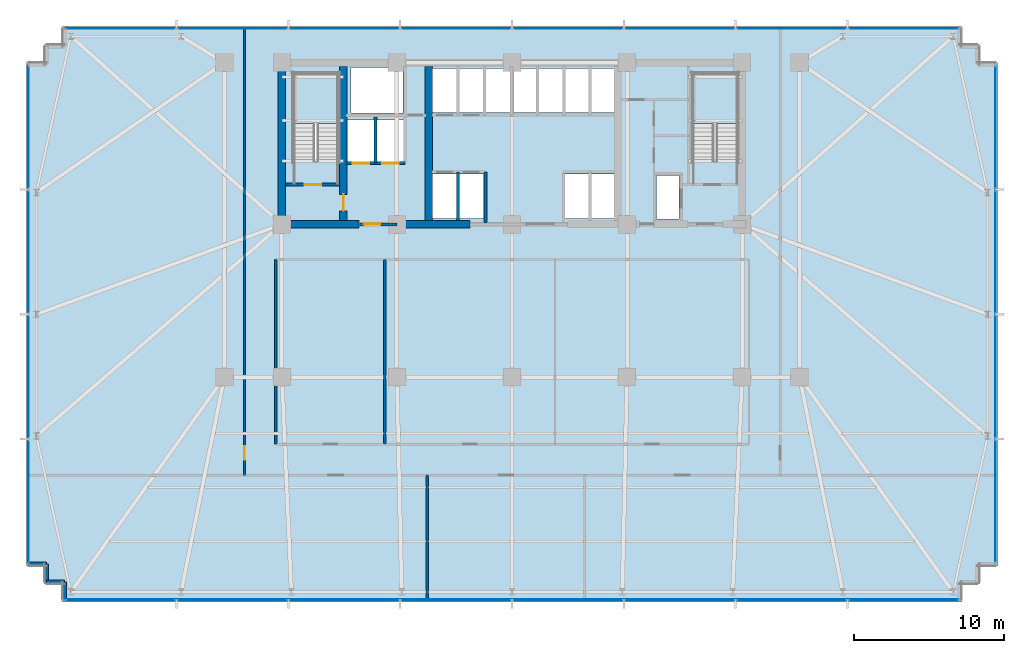
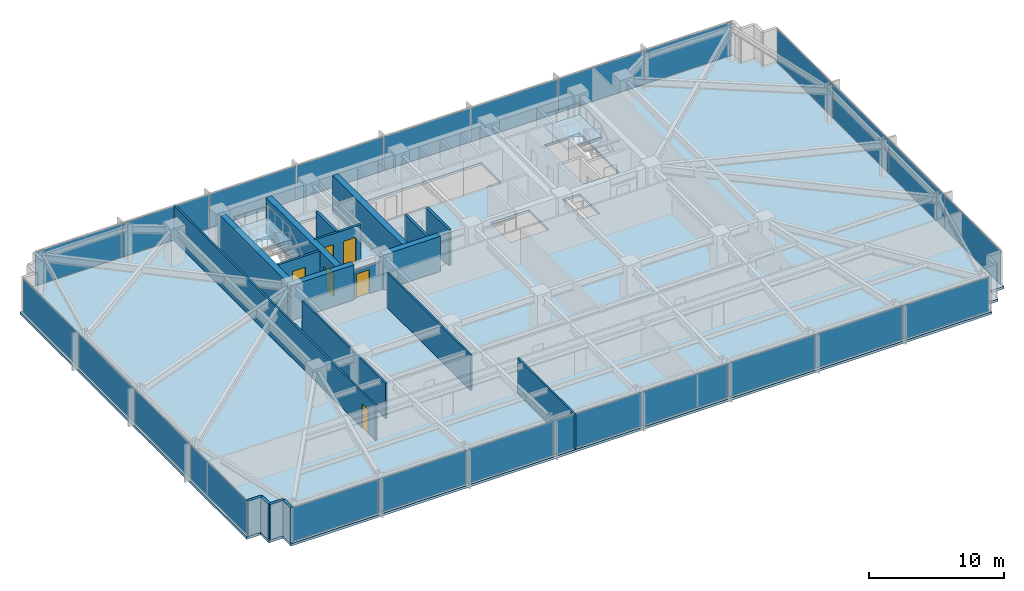
# One storey, part 24 of 32: 24 plates, 19 walls, 6 doors, 3 slabs, 6 openings, 6 elements without a shape of their own.
"""IFC4 building model written with IfcOpenShell, lengths in metres."""

from ifc_helpers import new_model, si_unit, direction, frame, frame_2d, origin, origin_2d, place, context, subcontext, project, spatial, polyline, rectangle, outline, extrude, material, layer, layer_set, type_object, element, fill, aggregate, save


model = new_model("IFC4")

# Units and contexts
model_context = context("Model", 3, precision=1e-05, world=origin(), true_north=direction((0.0, 1.0)))
body_context = subcontext(model_context, "Body", "Model", "MODEL_VIEW")
ifc_project = project(units=[si_unit("LENGTHUNIT", "METRE"), si_unit("AREAUNIT", "SQUARE_METRE"), si_unit("VOLUMEUNIT", "CUBIC_METRE"), si_unit("PLANEANGLEUNIT", "RADIAN"), si_unit("MASSUNIT", "GRAM", prefix="KILO")], contexts=[model_context])

# Site, building, storey
site_placement = place(None, origin())
site = spatial("IfcSite", under=ifc_project, at=site_placement, CompositionType="ELEMENT")
building_placement = place(site_placement, origin())
building = spatial("IfcBuilding", under=site, at=building_placement, Name="Yelkora Congress Tower", CompositionType="ELEMENT")
storey_placement = place(building_placement, frame((0.0, 0.0, 33.800048828125)))
storey = spatial("IfcBuildingStorey", under=building, at=storey_placement, Name="L07", CompositionType="ELEMENT", Elevation=33.800048828125)

# Curtain wall, plates
ifc_material_1 = material(Name="Anodised aluminium and insulated glass", Category="aluminium")
curtain_wall_type = type_object("IfcCurtainWallType", Name="CW-SYS-B1", PredefinedType="NOTDEFINED", material=ifc_material_1)
curtain_wall_1_placement = place(storey_placement, origin())
curtain_wall_1 = element("IfcCurtainWall", 1, at=curtain_wall_1_placement, inside=storey, type_object=curtain_wall_type, Name="L07 Unitised Curtain Wall 5", PredefinedType="NOTDEFINED")
ifc_material_2 = material(Name="Solar-control low-E glass unit B1", Category="glass")
ifc_layer_1 = layer(ifc_material_2, 0.0400390625)
ifc_layer_set_1 = layer_set([ifc_layer_1], Name="Solar-control low-E glass unit B1")
plate_type = type_object("IfcPlateType", Name="PLT-PN-B1", PredefinedType="CURTAIN_PANEL", material=ifc_layer_set_1)
plate_1_placement = place(storey_placement, frame((6.139892578125, 16.923828125, 0.06494140625), z_axis=(0.0, 0.0, 1.0), x_axis=(0.0, 1.0, 0.0)))
plate_1 = element("IfcPlate", 2, at=plate_1_placement, type_object=plate_type, Name="CW-B1 panel 1.1", PredefinedType="CURTAIN_PANEL", context=body_context, shape_type="SweptSolid", body=[
    extrude(rectangle(XDim=8.217529296875, YDim=0.0400390625, at=origin_2d()), origin(), (0.0, 0.0, 1.0), 3.050048828125),
])
plate_2_placement = place(storey_placement, frame((6.139892578125, 25.235107421875, 0.06494140625), z_axis=(0.0, 0.0, 1.0), x_axis=(0.0, 1.0, 0.0)))
plate_2 = element("IfcPlate", 3, at=plate_2_placement, type_object=plate_type, Name="CW-B1 panel 2.1", PredefinedType="CURTAIN_PANEL", context=body_context, shape_type="SweptSolid", body=[
    extrude(rectangle(XDim=8.2548828125, YDim=0.0400390625, at=origin_2d()), origin(), (0.0, 0.0, 1.0), 3.050048828125),
])
plate_3_placement = place(storey_placement, frame((6.139892578125, 33.56494140625, 0.06494140625), z_axis=(0.0, 0.0, 1.0), x_axis=(0.0, 1.0, 0.0)))
plate_3 = element("IfcPlate", 4, at=plate_3_placement, type_object=plate_type, Name="CW-B1 panel 3.1", PredefinedType="CURTAIN_PANEL", context=body_context, shape_type="SweptSolid", body=[
    extrude(rectangle(XDim=8.2548828125, YDim=0.0400390625, at=origin_2d()), origin(), (0.0, 0.0, 1.0), 3.050048828125),
])
plate_4_placement = place(storey_placement, frame((6.139892578125, 41.876220703125, 0.06494140625), z_axis=(0.0, 0.0, 1.0), x_axis=(0.0, 1.0, 0.0)))
plate_4 = element("IfcPlate", 5, at=plate_4_placement, type_object=plate_type, Name="CW-B1 panel 4.1", PredefinedType="CURTAIN_PANEL", context=body_context, shape_type="SweptSolid", body=[
    extrude(rectangle(XDim=8.217529296875, YDim=0.0400390625, at=origin_2d()), origin(), (0.0, 0.0, 1.0), 3.050048828125),
])
aggregate(curtain_wall_1, [plate_1, plate_2, plate_3, plate_4])

curtain_wall_2_placement = place(storey_placement, origin())
curtain_wall_2 = element("IfcCurtainWall", 6, at=curtain_wall_2_placement, inside=storey, type_object=curtain_wall_type, Name="L07 Unitised Curtain Wall 10", PredefinedType="NOTDEFINED")
plate_5_placement = place(storey_placement, frame((12.291259765625, 48.4599609375, 0.06494140625), z_axis=(0.0, 0.0, 1.0), x_axis=(1.0, 0.0, 0.0)))
plate_5 = element("IfcPlate", 7, at=plate_5_placement, type_object=plate_type, Name="CW-B1 panel 1.1", PredefinedType="CURTAIN_PANEL", context=body_context, shape_type="SweptSolid", body=[
    extrude(rectangle(XDim=7.3525390625, YDim=0.0400390625, at=origin_2d()), origin(), (0.0, 0.0, 1.0), 3.050048828125),
])
plate_6_placement = place(storey_placement, frame((19.737548828125, 48.4599609375, 0.06494140625), z_axis=(0.0, 0.0, 1.0), x_axis=(1.0, 0.0, 0.0)))
plate_6 = element("IfcPlate", 8, at=plate_6_placement, type_object=plate_type, Name="CW-B1 panel 2.1", PredefinedType="CURTAIN_PANEL", context=body_context, shape_type="SweptSolid", body=[
    extrude(rectangle(XDim=7.389892578125, YDim=0.0400390625, at=origin_2d()), origin(), (0.0, 0.0, 1.0), 3.050048828125),
])
plate_7_placement = place(storey_placement, frame((27.202392578125, 48.4599609375, 0.06494140625), z_axis=(0.0, 0.0, 1.0), x_axis=(1.0, 0.0, 0.0)))
plate_7 = element("IfcPlate", 9, at=plate_7_placement, type_object=plate_type, Name="CW-B1 panel 3.1", PredefinedType="CURTAIN_PANEL", context=body_context, shape_type="SweptSolid", body=[
    extrude(rectangle(XDim=7.389892578125, YDim=0.0400390625, at=origin_2d()), origin(), (0.0, 0.0, 1.0), 3.050048828125),
])
plate_8_placement = place(storey_placement, frame((34.66748046875, 48.4599609375, 0.06494140625), z_axis=(0.0, 0.0, 1.0), x_axis=(1.0, 0.0, 0.0)))
plate_8 = element("IfcPlate", 10, at=plate_8_placement, type_object=plate_type, Name="CW-B1 panel 4.1", PredefinedType="CURTAIN_PANEL", context=body_context, shape_type="SweptSolid", body=[
    extrude(rectangle(XDim=7.389892578125, YDim=0.0400390625, at=origin_2d()), origin(), (0.0, 0.0, 1.0), 3.050048828125),
])
plate_9_placement = place(storey_placement, frame((42.132568359375, 48.4599609375, 0.06494140625), z_axis=(0.0, 0.0, 1.0), x_axis=(1.0, 0.0, 0.0)))
plate_9 = element("IfcPlate", 11, at=plate_9_placement, type_object=plate_type, Name="CW-B1 panel 5.1", PredefinedType="CURTAIN_PANEL", context=body_context, shape_type="SweptSolid", body=[
    extrude(rectangle(XDim=7.389892578125, YDim=0.0400390625, at=origin_2d()), origin(), (0.0, 0.0, 1.0), 3.050048828125),
])
plate_10_placement = place(storey_placement, frame((49.597412109375, 48.4599609375, 0.06494140625), z_axis=(0.0, 0.0, 1.0), x_axis=(1.0, 0.0, 0.0)))
plate_10 = element("IfcPlate", 12, at=plate_10_placement, type_object=plate_type, Name="CW-B1 panel 6.1", PredefinedType="CURTAIN_PANEL", context=body_context, shape_type="SweptSolid", body=[
    extrude(rectangle(XDim=7.389892578125, YDim=0.0400390625, at=origin_2d()), origin(), (0.0, 0.0, 1.0), 3.050048828125),
])
plate_11_placement = place(storey_placement, frame((57.0625, 48.4599609375, 0.06494140625), z_axis=(0.0, 0.0, 1.0), x_axis=(1.0, 0.0, 0.0)))
plate_11 = element("IfcPlate", 13, at=plate_11_placement, type_object=plate_type, Name="CW-B1 panel 7.1", PredefinedType="CURTAIN_PANEL", context=body_context, shape_type="SweptSolid", body=[
    extrude(rectangle(XDim=7.389892578125, YDim=0.0400390625, at=origin_2d()), origin(), (0.0, 0.0, 1.0), 3.050048828125),
])
plate_12_placement = place(storey_placement, frame((64.5087890625, 48.4599609375, 0.06494140625), z_axis=(0.0, 0.0, 1.0), x_axis=(1.0, 0.0, 0.0)))
plate_12 = element("IfcPlate", 14, at=plate_12_placement, type_object=plate_type, Name="CW-B1 panel 8.1", PredefinedType="CURTAIN_PANEL", context=body_context, shape_type="SweptSolid", body=[
    extrude(rectangle(XDim=7.3525390625, YDim=0.0400390625, at=origin_2d()), origin(), (0.0, 0.0, 1.0), 3.050048828125),
])
aggregate(curtain_wall_2, [plate_5, plate_6, plate_7, plate_8, plate_9, plate_10, plate_11, plate_12])

curtain_wall_3_placement = place(storey_placement, origin())
curtain_wall_3 = element("IfcCurtainWall", 15, at=curtain_wall_3_placement, inside=storey, type_object=curtain_wall_type, Name="L07 Unitised Curtain Wall 15", PredefinedType="NOTDEFINED")
plate_13_placement = place(storey_placement, frame((70.659912109375, 41.876220703125, 0.06494140625), z_axis=(0.0, 0.0, 1.0), x_axis=(0.0, -1.0, 0.0)))
plate_13 = element("IfcPlate", 16, at=plate_13_placement, type_object=plate_type, Name="CW-B1 panel 1.1", PredefinedType="CURTAIN_PANEL", context=body_context, shape_type="SweptSolid", body=[
    extrude(rectangle(XDim=8.217529296875, YDim=0.0400390625, at=origin_2d()), origin(), (0.0, 0.0, 1.0), 3.050048828125),
])
plate_14_placement = place(storey_placement, frame((70.659912109375, 33.56494140625, 0.06494140625), z_axis=(0.0, 0.0, 1.0), x_axis=(0.0, -1.0, 0.0)))
plate_14 = element("IfcPlate", 17, at=plate_14_placement, type_object=plate_type, Name="CW-B1 panel 2.1", PredefinedType="CURTAIN_PANEL", context=body_context, shape_type="SweptSolid", body=[
    extrude(rectangle(XDim=8.2548828125, YDim=0.0400390625, at=origin_2d()), origin(), (0.0, 0.0, 1.0), 3.050048828125),
])
plate_15_placement = place(storey_placement, frame((70.659912109375, 25.235107421875, 0.06494140625), z_axis=(0.0, 0.0, 1.0), x_axis=(0.0, -1.0, 0.0)))
plate_15 = element("IfcPlate", 18, at=plate_15_placement, type_object=plate_type, Name="CW-B1 panel 3.1", PredefinedType="CURTAIN_PANEL", context=body_context, shape_type="SweptSolid", body=[
    extrude(rectangle(XDim=8.2548828125, YDim=0.0400390625, at=origin_2d()), origin(), (0.0, 0.0, 1.0), 3.050048828125),
])
plate_16_placement = place(storey_placement, frame((70.659912109375, 16.923828125, 0.06494140625), z_axis=(0.0, 0.0, 1.0), x_axis=(0.0, -1.0, 0.0)))
plate_16 = element("IfcPlate", 19, at=plate_16_placement, type_object=plate_type, Name="CW-B1 panel 4.1", PredefinedType="CURTAIN_PANEL", context=body_context, shape_type="SweptSolid", body=[
    extrude(rectangle(XDim=8.217529296875, YDim=0.0400390625, at=origin_2d()), origin(), (0.0, 0.0, 1.0), 3.050048828125),
])
aggregate(curtain_wall_3, [plate_13, plate_14, plate_15, plate_16])

curtain_wall_4_placement = place(storey_placement, origin())
curtain_wall_4 = element("IfcCurtainWall", 20, at=curtain_wall_4_placement, inside=storey, type_object=curtain_wall_type, Name="L07 Unitised Curtain Wall 20", PredefinedType="NOTDEFINED")
plate_17_placement = place(storey_placement, frame((64.5087890625, 10.340087890625, 0.06494140625), z_axis=(0.0, 0.0, 1.0), x_axis=(-1.0, 0.0, 0.0)))
plate_17 = element("IfcPlate", 21, at=plate_17_placement, type_object=plate_type, Name="CW-B1 panel 1.1", PredefinedType="CURTAIN_PANEL", context=body_context, shape_type="SweptSolid", body=[
    extrude(rectangle(XDim=7.3525390625, YDim=0.0400390625, at=origin_2d()), origin(), (0.0, 0.0, 1.0), 3.050048828125),
])
plate_18_placement = place(storey_placement, frame((57.0625, 10.340087890625, 0.06494140625), z_axis=(0.0, 0.0, 1.0), x_axis=(-1.0, 0.0, 0.0)))
plate_18 = element("IfcPlate", 22, at=plate_18_placement, type_object=plate_type, Name="CW-B1 panel 2.1", PredefinedType="CURTAIN_PANEL", context=body_context, shape_type="SweptSolid", body=[
    extrude(rectangle(XDim=7.389892578125, YDim=0.0400390625, at=origin_2d()), origin(), (0.0, 0.0, 1.0), 3.050048828125),
])
plate_19_placement = place(storey_placement, frame((49.597412109375, 10.340087890625, 0.06494140625), z_axis=(0.0, 0.0, 1.0), x_axis=(-1.0, 0.0, 0.0)))
plate_19 = element("IfcPlate", 23, at=plate_19_placement, type_object=plate_type, Name="CW-B1 panel 3.1", PredefinedType="CURTAIN_PANEL", context=body_context, shape_type="SweptSolid", body=[
    extrude(rectangle(XDim=7.389892578125, YDim=0.0400390625, at=origin_2d()), origin(), (0.0, 0.0, 1.0), 3.050048828125),
])
plate_20_placement = place(storey_placement, frame((42.132568359375, 10.340087890625, 0.06494140625), z_axis=(0.0, 0.0, 1.0), x_axis=(-1.0, 0.0, 0.0)))
plate_20 = element("IfcPlate", 24, at=plate_20_placement, type_object=plate_type, Name="CW-B1 panel 4.1", PredefinedType="CURTAIN_PANEL", context=body_context, shape_type="SweptSolid", body=[
    extrude(rectangle(XDim=7.389892578125, YDim=0.0400390625, at=origin_2d()), origin(), (0.0, 0.0, 1.0), 3.050048828125),
])
plate_21_placement = place(storey_placement, frame((34.66748046875, 10.340087890625, 0.06494140625), z_axis=(0.0, 0.0, 1.0), x_axis=(-1.0, 0.0, 0.0)))
plate_21 = element("IfcPlate", 25, at=plate_21_placement, type_object=plate_type, Name="CW-B1 panel 5.1", PredefinedType="CURTAIN_PANEL", context=body_context, shape_type="SweptSolid", body=[
    extrude(rectangle(XDim=7.389892578125, YDim=0.0400390625, at=origin_2d()), origin(), (0.0, 0.0, 1.0), 3.050048828125),
])
plate_22_placement = place(storey_placement, frame((27.202392578125, 10.340087890625, 0.06494140625), z_axis=(0.0, 0.0, 1.0), x_axis=(-1.0, 0.0, 0.0)))
plate_22 = element("IfcPlate", 26, at=plate_22_placement, type_object=plate_type, Name="CW-B1 panel 6.1", PredefinedType="CURTAIN_PANEL", context=body_context, shape_type="SweptSolid", body=[
    extrude(rectangle(XDim=7.389892578125, YDim=0.0400390625, at=origin_2d()), origin(), (0.0, 0.0, 1.0), 3.050048828125),
])
plate_23_placement = place(storey_placement, frame((19.737548828125, 10.340087890625, 0.06494140625), z_axis=(0.0, 0.0, 1.0), x_axis=(-1.0, 0.0, 0.0)))
plate_23 = element("IfcPlate", 27, at=plate_23_placement, type_object=plate_type, Name="CW-B1 panel 7.1", PredefinedType="CURTAIN_PANEL", context=body_context, shape_type="SweptSolid", body=[
    extrude(rectangle(XDim=7.389892578125, YDim=0.0400390625, at=origin_2d()), origin(), (0.0, 0.0, 1.0), 3.050048828125),
])
plate_24_placement = place(storey_placement, frame((12.291259765625, 10.340087890625, 0.06494140625), z_axis=(0.0, 0.0, 1.0), x_axis=(-1.0, 0.0, 0.0)))
plate_24 = element("IfcPlate", 28, at=plate_24_placement, type_object=plate_type, Name="CW-B1 panel 8.1", PredefinedType="CURTAIN_PANEL", context=body_context, shape_type="SweptSolid", body=[
    extrude(rectangle(XDim=7.3525390625, YDim=0.0400390625, at=origin_2d()), origin(), (0.0, 0.0, 1.0), 3.050048828125),
])
aggregate(curtain_wall_4, [plate_17, plate_18, plate_19, plate_20, plate_21, plate_22, plate_23, plate_24])

# Stair, slab
ifc_material_3 = material(Name="Concrete C40/50", Category="concrete")
stair_type = type_object("IfcStairType", Name="STAIR-HT-1420-R20-170", PredefinedType="HALF_TURN_STAIR", material=ifc_material_3)
stair_1_placement = place(storey_placement, origin())
stair_1 = element("IfcStair", 29, at=stair_1_placement, inside=storey, type_object=stair_type, Name="West Core Protected Exit Stair ST-01 (L07)", PredefinedType="HALF_TURN_STAIR")
ifc_layer_2 = layer(ifc_material_3, 0.219970703125)
ifc_layer_set_2 = layer_set([ifc_layer_2], Name="Concrete C40/50")
slab_type_1 = type_object("IfcSlabType", Name="SLAB-LANDING-220", PredefinedType="LANDING", material=ifc_layer_set_2)
slab_1_placement = place(storey_placement, frame((0.0, 0.0, 1.47998046875)))
slab_1 = element("IfcSlab", 30, at=slab_1_placement, type_object=slab_type_1, Name="ST-01 L07 Half Landing 1", PredefinedType="LANDING", context=body_context, shape_type="SweptSolid", body=[
    extrude(outline(polyline([(26.820068359375, 42.1201171875), (26.820068359375, 45.469970703125), (23.820068359375, 45.469970703125), (23.820068359375, 42.1201171875), (26.820068359375, 42.1201171875)])), origin(), (0.0, 0.0, 1.0), 0.219970703125),
])
aggregate(stair_1, [slab_1])

stair_2_placement = place(storey_placement, origin())
stair_2 = element("IfcStair", 31, at=stair_2_placement, inside=storey, type_object=stair_type, Name="East Core Protected Exit Stair ST-02 (L07)", PredefinedType="HALF_TURN_STAIR")
slab_2_placement = place(storey_placement, frame((0.0, 0.0, 1.47998046875)))
slab_2 = element("IfcSlab", 32, at=slab_2_placement, type_object=slab_type_1, Name="ST-02 L07 Half Landing 1", PredefinedType="LANDING", context=body_context, shape_type="SweptSolid", body=[
    extrude(outline(polyline([(53.4599609375, 42.1201171875), (53.4599609375, 45.469970703125), (50.4599609375, 45.469970703125), (50.4599609375, 42.1201171875), (53.4599609375, 42.1201171875)])), origin(), (0.0, 0.0, 1.0), 0.219970703125),
])
aggregate(stair_2, [slab_2])

# Slab
ifc_layer_3 = layer(ifc_material_3, 0.219970703125)
ifc_layer_set_3 = layer_set([ifc_layer_3], Name="Concrete C40/50")
slab_type_2 = type_object("IfcSlabType", Name="SLAB-TWR-220", PredefinedType="FLOOR", material=ifc_layer_set_3)
slab_3_placement = place(storey_placement, frame((0.0, 0.0, -0.219970703125)))
element("IfcSlab", 33, at=slab_3_placement, inside=storey, type_object=slab_type_2, Name="L07 Structural Floor Slab", PredefinedType="FLOOR", context=body_context, shape_type="SweptSolid", body=[
    extrude(outline(polyline([(8.39990234375, 10.199951171875), (68.39990234375, 10.199951171875), (68.39990234375, 11.39990234375), (69.60009765625, 11.39990234375), (69.60009765625, 12.60009765625), (70.800048828125, 12.60009765625), (70.800048828125, 46.199951171875), (69.60009765625, 46.199951171875), (69.60009765625, 47.39990234375), (68.39990234375, 47.39990234375), (68.39990234375, 48.60009765625), (8.39990234375, 48.60009765625), (8.39990234375, 47.39990234375), (7.199951171875, 47.39990234375), (7.199951171875, 46.199951171875), (6.0, 46.199951171875), (6.0, 12.60009765625), (7.199951171875, 12.60009765625), (7.199951171875, 11.39990234375), (8.39990234375, 11.39990234375), (8.39990234375, 10.199951171875)]), holes=[polyline([(23.820068359375, 39.6298828125), (26.820068359375, 39.6298828125), (26.820068359375, 45.469970703125), (23.820068359375, 45.469970703125), (23.820068359375, 39.6298828125)]), polyline([(50.4599609375, 39.6298828125), (53.4599609375, 39.6298828125), (53.4599609375, 45.469970703125), (50.4599609375, 45.469970703125), (50.4599609375, 39.6298828125)]), polyline([(48.050048828125, 35.75), (49.550048828125, 35.75), (49.550048828125, 38.64990234375), (48.050048828125, 38.64990234375), (48.050048828125, 35.75)]), polyline([(41.949951171875, 35.800048828125), (45.25, 35.800048828125), (45.25, 38.75), (41.949951171875, 38.75), (41.949951171875, 35.800048828125)]), polyline([(33.10009765625, 42.85009765625), (45.25, 42.85009765625), (45.25, 45.800048828125), (33.10009765625, 45.800048828125), (33.10009765625, 42.85009765625)]), polyline([(33.10009765625, 35.800048828125), (36.5, 35.800048828125), (36.5, 38.75), (33.10009765625, 38.75), (33.10009765625, 35.800048828125)]), polyline([(27.419921875, 39.60009765625), (31.179931640625, 39.60009765625), (31.179931640625, 42.35009765625), (27.419921875, 42.35009765625), (27.419921875, 39.60009765625)]), polyline([(27.64990234375, 42.820068359375), (31.1201171875, 42.820068359375), (31.1201171875, 45.8798828125), (27.64990234375, 45.8798828125), (27.64990234375, 42.820068359375)])]), origin(), (0.0, 0.0, 1.0), 0.219970703125),
])

# Walls
ifc_material_4 = material(Name="Concrete C60/75", Category="concrete")
ifc_layer_4 = layer(ifc_material_4, 0.5)
ifc_layer_set_4 = layer_set([ifc_layer_4], Name="Concrete C60/75")
wall_type_1 = type_object("IfcWallType", Name="WALL-CORE-INT-500", PredefinedType="SHEAR", material=ifc_layer_set_4)
wall_1_placement = place(storey_placement, frame((22.7900390625, 35.39990234375, 0.0), z_axis=(0.0, 0.0, 1.0), x_axis=(1.0, 0.0, 0.0)))
element("IfcWall", 34, at=wall_1_placement, inside=storey, type_object=wall_type_1, Name="L07 Rear Core South-West Shear Wall", PredefinedType="SHEAR", context=body_context, shape_type="SweptSolid", body=[
    extrude(rectangle(XDim=5.409912109375, YDim=0.5, at=frame_2d((2.705078125, 0.0))), origin(), (0.0, 0.0, 1.0), 3.179931640625),
])
wall_2_placement = place(storey_placement, frame((30.719970703125, 35.39990234375, 0.0), z_axis=(0.0, 0.0, 1.0), x_axis=(1.0, 0.0, 0.0)))
element("IfcWall", 35, at=wall_2_placement, inside=storey, type_object=wall_type_1, Name="L07 Rear Core South-Center Shear Pier", PredefinedType="SHEAR", context=body_context, shape_type="SweptSolid", body=[
    extrude(rectangle(XDim=4.880126953125, YDim=0.5, at=frame_2d((2.43994140625, 0.0))), origin(), (0.0, 0.0, 1.0), 3.179931640625),
])
wall_3_placement = place(storey_placement, frame((23.0400390625, 35.64990234375, 0.0), z_axis=(0.0, 0.0, 1.0), x_axis=(0.0, 1.0, 0.0)))
element("IfcWall", 36, at=wall_3_placement, inside=storey, type_object=wall_type_1, Name="L07 Rear Core Cross Shear Wall W", PredefinedType="SHEAR", context=body_context, shape_type="SweptSolid", body=[
    extrude(rectangle(XDim=10.300048828125, YDim=0.5, at=frame_2d((5.14990234375, 0.0))), origin(), (0.0, 0.0, 1.0), 3.179931640625),
])

# Wall, opening, door
wall_4_placement = place(storey_placement, frame((27.14990234375, 35.64990234375, 0.0), z_axis=(0.0, 0.0, 1.0), x_axis=(0.0, 1.0, 0.0)))
wall_4 = element("IfcWall", 37, at=wall_4_placement, inside=storey, type_object=wall_type_1, Name="L07 Rear Core Cross Shear Wall C1", PredefinedType="SHEAR", context=body_context, shape_type="SweptSolid", body=[
    extrude(rectangle(XDim=10.300048828125, YDim=0.5, at=frame_2d((5.14990234375, 0.0))), origin(), (0.0, 0.0, 1.0), 3.179931640625),
])
opening_1_placement = place(wall_4_placement, frame((0.64990234375, 0.0, 0.0)))
opening_1 = element("IfcOpeningElement", 38, at=opening_1_placement, cuts=wall_4, Name="Opening DR-110F9", PredefinedType="OPENING", context=body_context, shape_type="SweptSolid", body=[
    extrude(rectangle(XDim=1.10009765625, YDim=2.14990234375, at=frame_2d((0.550048828125, 1.074951171875))), frame((0.0, 0.260009765625, 0.0), z_axis=(0.0, -1.0, 0.0), x_axis=(1.0, 0.0, 0.0)), (0.0, 0.0, 1.0), 0.52001953125),
])
ifc_material_5 = material(Name="Galvanised steel fire door leaf", Category="steel")
door_type_1 = type_object("IfcDoorType", Name="DOOR-FD90-1100", OperationType="NOTDEFINED", PredefinedType="DOOR", material=ifc_material_5)
door_1_placement = place(opening_1_placement, origin())
door_1 = element("IfcDoor", 39, at=door_1_placement, inside=storey, type_object=door_type_1, Name="L07 Firefighting Stair Transfer Door", OperationType="SINGLE_SWING_LEFT", OverallHeight=2.14990234375, OverallWidth=1.10009765625, PredefinedType="DOOR", context=body_context, shape_type="SweptSolid", body=[
    extrude(rectangle(XDim=1.10009765625, YDim=2.14990234375, at=frame_2d((0.550048828125, 1.074951171875))), frame((0.0, 0.02490234375, 0.0), z_axis=(0.0, -1.0, 0.0), x_axis=(1.0, 0.0, 0.0)), (0.0, 0.0, 1.0), 0.050048828125),
])
fill(opening_1, door_1)

# Walls
wall_5_placement = place(storey_placement, frame((32.85009765625, 35.64990234375, 0.0), z_axis=(0.0, 0.0, 1.0), x_axis=(0.0, 1.0, 0.0)))
element("IfcWall", 40, at=wall_5_placement, inside=storey, type_object=wall_type_1, Name="L07 Rear Core Cross Shear Wall C2", PredefinedType="SHEAR", context=body_context, shape_type="SweptSolid", body=[
    extrude(rectangle(XDim=10.300048828125, YDim=0.5, at=frame_2d((5.14990234375, 0.0))), origin(), (0.0, 0.0, 1.0), 3.179931640625),
])
ifc_layer_5 = layer(ifc_material_3, 0.239990234375)
ifc_layer_set_5 = layer_set([ifc_layer_5], Name="Concrete C40/50")
wall_type_2 = type_object("IfcWallType", Name="WALL-EXT-LIMESTONE-240", PredefinedType="SOLIDWALL", material=ifc_layer_set_5)
for number, where, z_axis, x_axis, name in (
    (41, (8.5400390625, 10.340087890625, 0.0), (0.0, 0.0, 1.0), (0.0, 1.0, 0.0), "L07 Serrated Corner Limestone Pier 1"),
    (42, (8.5400390625, 11.5400390625, 0.0), (0.0, 0.0, 1.0), (-1.0, 0.0, 0.0), "L07 Serrated Corner Limestone Pier 2"),
    (43, (7.340087890625, 11.5400390625, 0.0), (0.0, 0.0, 1.0), (0.0, 1.0, 0.0), "L07 Serrated Corner Limestone Pier 3"),
):
    element("IfcWall", number, at=place(storey_placement, frame(where, z_axis=z_axis, x_axis=x_axis)), inside=storey, type_object=wall_type_2, Name=name, PredefinedType="SOLIDWALL", context=body_context, shape_type="SweptSolid", body=[
        extrude(rectangle(XDim=1.199951171875, YDim=0.239990234375, at=frame_2d((0.60009765625, 0.0))), origin(), (0.0, 0.0, 1.0), 3.179931640625),
    ])
wall_6_placement = place(storey_placement, frame((7.340087890625, 12.739990234375, 0.0), z_axis=(0.0, 0.0, 1.0), x_axis=(-1.0, 0.0, 0.0)))
element("IfcWall", 44, at=wall_6_placement, inside=storey, type_object=wall_type_2, Name="L07 Serrated Corner Limestone Pier 4", PredefinedType="SOLIDWALL", context=body_context, shape_type="SweptSolid", body=[
    extrude(rectangle(XDim=1.2001953125, YDim=0.239990234375, at=frame_2d((0.60009765625, 0.0))), origin(), (0.0, 0.0, 1.0), 3.179931640625),
])
ifc_material_6 = material(Name="Acoustic metal-stud gypsum partition", Category="gypsum")
ifc_layer_6 = layer(ifc_material_6, 0.14990234375)
ifc_layer_set_6 = layer_set([ifc_layer_6], Name="Acoustic metal-stud gypsum partition")
wall_type_3 = type_object("IfcWallType", Name="WALL-INT-150-NR", PredefinedType="PARTITIONING", material=ifc_layer_set_6)
wall_7_placement = place(storey_placement, frame((32.743896484375, 10.280029296875, 0.0), z_axis=(0.0, 0.0, 1.0), x_axis=(0.0, 1.0, 0.0)))
element("IfcWall", 45, at=wall_7_placement, inside=storey, type_object=wall_type_3, Name="L07 Partition Wall 31", PredefinedType="PARTITIONING", context=body_context, shape_type="SweptSolid", body=[
    extrude(rectangle(XDim=8.389892578125, YDim=0.14990234375, at=frame_2d((4.19482421875, 0.0))), origin(), (0.0, 0.0, 1.0), 3.179931640625),
])

# Wall, opening, door
wall_8_placement = place(storey_placement, frame((20.550048828125, 18.64990234375, 0.0), z_axis=(0.0, 0.0, 1.0), x_axis=(0.0, 1.0, 0.0)))
wall_8 = element("IfcWall", 46, at=wall_8_placement, inside=storey, type_object=wall_type_3, Name="L07 Partition Wall 34", PredefinedType="PARTITIONING", context=body_context, shape_type="SweptSolid", body=[
    extrude(rectangle(XDim=29.8701171875, YDim=0.14990234375, at=frame_2d((14.93505859375, 0.0))), origin(), (0.0, 0.0, 1.0), 3.179931640625),
])
opening_2_placement = place(wall_8_placement, frame((1.030029296875, 0.0, 0.0)))
opening_2 = element("IfcOpeningElement", 47, at=opening_2_placement, cuts=wall_8, Name="Opening DR-090N", PredefinedType="OPENING", context=body_context, shape_type="SweptSolid", body=[
    extrude(rectangle(XDim=0.89990234375, YDim=2.14990234375, at=frame_2d((0.449951171875, 1.074951171875))), frame((0.0, 0.0849609375, 0.0), z_axis=(0.0, -1.0, 0.0), x_axis=(1.0, 0.0, 0.0)), (0.0, 0.0, 1.0), 0.169921875),
])
ifc_material_7 = material(Name="Moisture-resistant laminate door leaf", Category="wood")
door_type_2 = type_object("IfcDoorType", Name="DOOR-INT-900", OperationType="NOTDEFINED", PredefinedType="DOOR", material=ifc_material_7)
door_2_placement = place(opening_2_placement, origin())
door_2 = element("IfcDoor", 48, at=door_2_placement, inside=storey, type_object=door_type_2, Name="L07 W Wing Door", OperationType="SINGLE_SWING_RIGHT", OverallHeight=2.14990234375, OverallWidth=0.89990234375, PredefinedType="DOOR", context=body_context, shape_type="SweptSolid", body=[
    extrude(rectangle(XDim=0.89990234375, YDim=2.14990234375, at=frame_2d((0.449951171875, 1.074951171875))), frame((0.0, 0.02490234375, 0.0), z_axis=(0.0, -1.0, 0.0), x_axis=(1.0, 0.0, 0.0)), (0.0, 0.0, 1.0), 0.050048828125),
])
fill(opening_2, door_2)

# Walls
for number, where, z_axis, x_axis, name in (
    (49, (22.6298828125, 20.72998046875, 0.0), (0.0, 0.0, 1.0), (0.0, 1.0, 0.0), "L07 Partition Wall 36"),
    (50, (29.90087890625, 20.72998046875, 0.0), (0.0, 0.0, 1.0), (0.0, 1.0, 0.0), "L07 Partition Wall 39"),
):
    element("IfcWall", number, at=place(storey_placement, frame(where, z_axis=z_axis, x_axis=x_axis)), inside=storey, type_object=wall_type_3, Name=name, PredefinedType="PARTITIONING", context=body_context, shape_type="SweptSolid", body=[
        extrude(rectangle(XDim=12.320068359375, YDim=0.14990234375, at=frame_2d((6.16015625, 0.0))), origin(), (0.0, 0.0, 1.0), 3.179931640625),
    ])

# Wall, opening, door
ifc_material_8 = material(Name="Autoclaved aerated concrete blockwork", Category="masonry")
ifc_layer_7 = layer(ifc_material_8, 0.199951171875)
ifc_layer_set_7 = layer_set([ifc_layer_7], Name="Autoclaved aerated concrete blockwork")
wall_type_4 = type_object("IfcWallType", Name="WALL-INT-200-R120", PredefinedType="PARTITIONING", material=ifc_layer_set_7)
wall_9_placement = place(storey_placement, frame((23.300048828125, 38.050048828125, 0.0), z_axis=(0.0, 0.0, 1.0), x_axis=(1.0, 0.0, 0.0)))
wall_9 = element("IfcWall", 51, at=wall_9_placement, inside=storey, type_object=wall_type_4, Name="L07 Stair ST-01 Enclosure Wall", PredefinedType="PARTITIONING", context=body_context, shape_type="SweptSolid", body=[
    extrude(rectangle(XDim=3.619873046875, YDim=0.199951171875, at=frame_2d((1.81005859375, 0.0))), origin(), (0.0, 0.0, 1.0), 3.179931640625),
])
opening_3_placement = place(wall_9_placement, frame((1.260009765625, 0.0, 0.0)))
opening_3 = element("IfcOpeningElement", 52, at=opening_3_placement, cuts=wall_9, Name="Opening DR-110F9", PredefinedType="OPENING", context=body_context, shape_type="SweptSolid", body=[
    extrude(rectangle(XDim=1.10009765625, YDim=2.14990234375, at=frame_2d((0.550048828125, 1.074951171875))), frame((0.0, 0.10986328125, 0.0), z_axis=(0.0, -1.0, 0.0), x_axis=(1.0, 0.0, 0.0)), (0.0, 0.0, 1.0), 0.219970703125),
])
door_3_placement = place(opening_3_placement, origin())
door_3 = element("IfcDoor", 53, at=door_3_placement, inside=storey, type_object=door_type_1, Name="L07 Stair ST-01 Entry Door", OperationType="SINGLE_SWING_LEFT", OverallHeight=2.14990234375, OverallWidth=1.10009765625, PredefinedType="DOOR", context=body_context, shape_type="SweptSolid", body=[
    extrude(rectangle(XDim=1.10009765625, YDim=2.14990234375, at=frame_2d((0.550048828125, 1.074951171875))), frame((0.0, 0.02490234375, 0.0), z_axis=(0.0, -1.0, 0.0), x_axis=(1.0, 0.0, 0.0)), (0.0, 0.0, 1.0), 0.050048828125),
])
fill(opening_3, door_3)

wall_10_placement = place(storey_placement, frame((28.219970703125, 35.39990234375, 0.0), z_axis=(0.0, 0.0, 1.0), x_axis=(1.0, 0.0, 0.0)))
wall_10 = element("IfcWall", 54, at=wall_10_placement, inside=storey, type_object=wall_type_4, Name="L07 Firefighting Lobby South Wall", PredefinedType="PARTITIONING", context=body_context, shape_type="SweptSolid", body=[
    extrude(rectangle(XDim=2.5, YDim=0.199951171875, at=frame_2d((1.25, 0.0))), origin(), (0.0, 0.0, 1.0), 2.474853515625),
])
opening_4_placement = place(wall_10_placement, frame((0.300048828125, 0.0, 0.0)))
opening_4 = element("IfcOpeningElement", 55, at=opening_4_placement, cuts=wall_10, Name="Opening DR-110F9", PredefinedType="OPENING", context=body_context, shape_type="SweptSolid", body=[
    extrude(rectangle(XDim=1.10009765625, YDim=2.14990234375, at=frame_2d((0.550048828125, 1.074951171875))), frame((0.0, 0.10986328125, 0.0), z_axis=(0.0, -1.0, 0.0), x_axis=(1.0, 0.0, 0.0)), (0.0, 0.0, 1.0), 0.219970703125),
])
door_4_placement = place(opening_4_placement, origin())
door_4 = element("IfcDoor", 56, at=door_4_placement, inside=storey, type_object=door_type_1, Name="L07 Firefighting Lobby Corridor Door", OperationType="SINGLE_SWING_RIGHT", OverallHeight=2.14990234375, OverallWidth=1.10009765625, PredefinedType="DOOR", context=body_context, shape_type="SweptSolid", body=[
    extrude(rectangle(XDim=1.10009765625, YDim=2.14990234375, at=frame_2d((0.550048828125, 1.074951171875))), frame((0.0, 0.02490234375, 0.0), z_axis=(0.0, -1.0, 0.0), x_axis=(1.0, 0.0, 0.0)), (0.0, 0.0, 1.0), 0.050048828125),
])
fill(opening_4, door_4)

# Wall, openings, doors
wall_11_placement = place(storey_placement, frame((27.320068359375, 39.47998046875, 0.0), z_axis=(0.0, 0.0, 1.0), x_axis=(1.0, 0.0, 0.0)))
wall_11 = element("IfcWall", 57, at=wall_11_placement, inside=storey, type_object=wall_type_4, Name="L07 Firefighting Lift Front Wall", PredefinedType="PARTITIONING", context=body_context, shape_type="SweptSolid", body=[
    extrude(rectangle(XDim=3.93994140625, YDim=0.199951171875, at=frame_2d((1.969970703125, 0.0))), origin(), (0.0, 0.0, 1.0), 3.179931640625),
])
opening_5_placement = place(wall_11_placement, frame((0.449951171875, 0.0, 0.0)))
opening_5 = element("IfcOpeningElement", 58, at=opening_5_placement, cuts=wall_11, Name="Opening LD-FF11", PredefinedType="OPENING", context=body_context, shape_type="SweptSolid", body=[
    extrude(rectangle(XDim=1.10009765625, YDim=2.199951171875, at=frame_2d((0.550048828125, 1.10009765625))), frame((0.0, 0.10986328125, 0.0), z_axis=(0.0, -1.0, 0.0), x_axis=(1.0, 0.0, 0.0)), (0.0, 0.0, 1.0), 0.219970703125),
])
opening_6_placement = place(wall_11_placement, frame((2.409912109375, 0.0, 0.0)))
opening_6 = element("IfcOpeningElement", 59, at=opening_6_placement, cuts=wall_11, Name="Opening LD-FF11", PredefinedType="OPENING", context=body_context, shape_type="SweptSolid", body=[
    extrude(rectangle(XDim=1.10009765625, YDim=2.199951171875, at=frame_2d((0.550048828125, 1.10009765625))), frame((0.0, 0.10986328125, 0.0), z_axis=(0.0, -1.0, 0.0), x_axis=(1.0, 0.0, 0.0)), (0.0, 0.0, 1.0), 0.219970703125),
])
ifc_material_9 = material(Name="Brushed stainless steel 316L landing door", Category="steel")
door_type_3 = type_object("IfcDoorType", Name="DOOR-LIFT-FF-1100", OperationType="DOUBLE_DOOR_SLIDING", PredefinedType="DOOR", material=ifc_material_9)
door_5_placement = place(opening_5_placement, origin())
door_5 = element("IfcDoor", 60, at=door_5_placement, inside=storey, type_object=door_type_3, Name="Lift Landing Door LF-FF1 L07", OperationType="DOUBLE_DOOR_SLIDING", OverallHeight=2.199951171875, OverallWidth=1.10009765625, PredefinedType="DOOR", context=body_context, shape_type="SweptSolid", body=[
    extrude(rectangle(XDim=1.10009765625, YDim=2.199951171875, at=frame_2d((0.550048828125, 1.10009765625))), frame((0.0, 0.02490234375, 0.0), z_axis=(0.0, -1.0, 0.0), x_axis=(1.0, 0.0, 0.0)), (0.0, 0.0, 1.0), 0.050048828125),
])
fill(opening_5, door_5)
door_6_placement = place(opening_6_placement, origin())
door_6 = element("IfcDoor", 61, at=door_6_placement, inside=storey, type_object=door_type_3, Name="Lift Landing Door LF-FF2 L07", OperationType="DOUBLE_DOOR_SLIDING", OverallHeight=2.199951171875, OverallWidth=1.10009765625, PredefinedType="DOOR", context=body_context, shape_type="SweptSolid", body=[
    extrude(rectangle(XDim=1.10009765625, YDim=2.199951171875, at=frame_2d((0.550048828125, 1.10009765625))), frame((0.0, 0.02490234375, 0.0), z_axis=(0.0, -1.0, 0.0), x_axis=(1.0, 0.0, 0.0)), (0.0, 0.0, 1.0), 0.050048828125),
])
fill(opening_6, door_6)

# Walls
wall_12_placement = place(storey_placement, frame((29.300048828125, 39.47998046875, 0.0), z_axis=(0.0, 0.0, 1.0), x_axis=(0.0, 1.0, 0.0)))
element("IfcWall", 62, at=wall_12_placement, inside=storey, type_object=wall_type_4, Name="L07 Partition Wall 4", PredefinedType="PARTITIONING", context=body_context, shape_type="SweptSolid", body=[
    extrude(rectangle(XDim=3.070068359375, YDim=0.199951171875, at=frame_2d((1.53515625, 0.0))), origin(), (0.0, 0.0, 1.0), 3.179931640625),
])
wall_13_placement = place(storey_placement, frame((34.800048828125, 35.64990234375, 0.0), z_axis=(0.0, 0.0, 1.0), x_axis=(0.0, 1.0, 0.0)))
element("IfcWall", 63, at=wall_13_placement, inside=storey, type_object=wall_type_4, Name="L07 Partition Wall 13", PredefinedType="PARTITIONING", context=body_context, shape_type="SweptSolid", body=[
    extrude(rectangle(XDim=3.25, YDim=0.199951171875, at=frame_2d((1.625, 0.0))), origin(), (0.0, 0.0, 1.0), 3.179931640625),
])
wall_14_placement = place(storey_placement, frame((36.6201171875, 35.5, 0.0), z_axis=(0.0, 0.0, 1.0), x_axis=(0.0, 1.0, 0.0)))
element("IfcWall", 64, at=wall_14_placement, inside=storey, type_object=wall_type_4, Name="L07 Partition Wall 15", PredefinedType="PARTITIONING", context=body_context, shape_type="SweptSolid", body=[
    extrude(rectangle(XDim=3.39990234375, YDim=0.199951171875, at=frame_2d((1.699951171875, 0.0))), origin(), (0.0, 0.0, 1.0), 3.179931640625),
])

save(model, "model.ifc")
